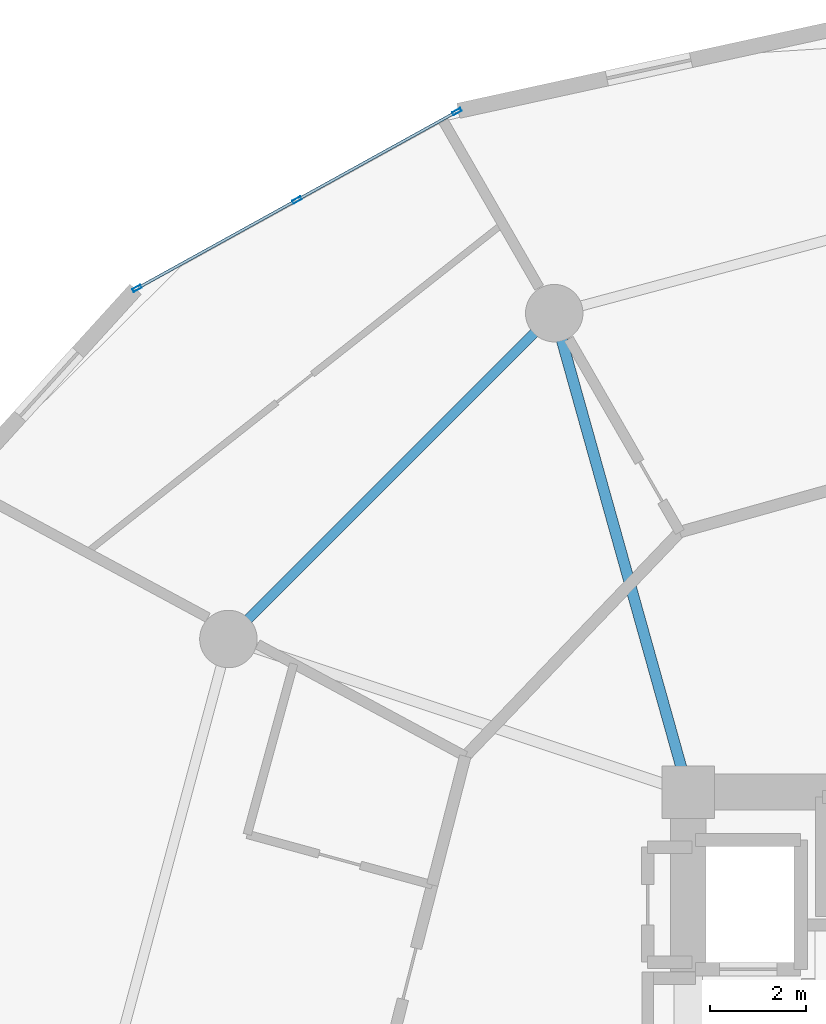
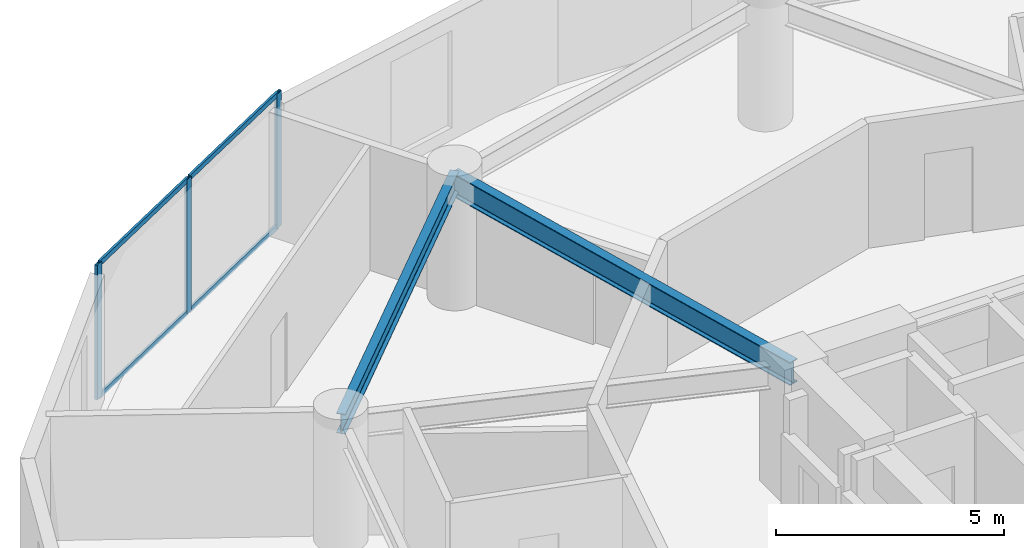
# One storey, part 11 of 23: 7 members, 2 beams, 1 element without a shape of its own.
"""IFC4 building model written with IfcOpenShell, lengths in metres."""

from ifc_helpers import new_model, si_unit, direction, frame, origin, origin_2d, place, context, subcontext, project, spatial, hollow_rectangle, i_section, extrude, source, transform, mapped, material, layer, layer_set, material_profile, profile_set, type_object, element, aggregate, save


model = new_model("IFC4")

# Units and contexts
model_context = context("Model", 3, precision=1e-05, world=origin(), true_north=direction((0.0, 1.0)))
body_context = subcontext(model_context, "Body", "Model", "MODEL_VIEW")
ifc_project = project(units=[si_unit("LENGTHUNIT", "METRE"), si_unit("AREAUNIT", "SQUARE_METRE"), si_unit("VOLUMEUNIT", "CUBIC_METRE"), si_unit("PLANEANGLEUNIT", "RADIAN"), si_unit("MASSUNIT", "GRAM", prefix="KILO")], contexts=[model_context])

# Site, building, storey
site_placement = place(None, origin())
site = spatial("IfcSite", under=ifc_project, at=site_placement, CompositionType="ELEMENT")
building_placement = place(site_placement, origin())
building = spatial("IfcBuilding", under=site, at=building_placement, Name="Solvirekh Grand Hotel", CompositionType="ELEMENT")
storey_placement = place(building_placement, frame((0.0, 0.0, 46.39990234375)))
storey = spatial("IfcBuildingStorey", under=building, at=storey_placement, Name="L10", CompositionType="ELEMENT", Elevation=46.39990234375)

# Beams
ifc_material_1 = material(Name="Steel S355", Category="steel")
ifc_material_profile_1 = material_profile(ifc_material_1, i_section(OverallWidth=0.22998046875, OverallDepth=0.615966796875, WebThickness=0.013916015625, FlangeThickness=0.02392578125, FilletRadius=0.014892578125, at=origin_2d()), Name="W610X174")
ifc_profile_set_1 = profile_set([ifc_material_profile_1], Name="Steel S355")
beam_type_1 = type_object("IfcBeamType", Name="Beam_Primary_W610H", PredefinedType="BEAM", material=ifc_profile_set_1)
beam_1_placement = place(storey_placement, frame((-6.5, 6.10009765625, 3.031982421875), z_axis=(-0.269439084681, 0.963017434757, 0.0), x_axis=(-0.963017434757, -0.269439084681, 0.0)))
element("IfcBeam", 1, at=beam_1_placement, inside=storey, type_object=beam_type_1, Name="L10 radial floor beam R05", PredefinedType="BEAM", context=body_context, shape_type="SweptSolid", body=[
    extrude(i_section(OverallWidth=0.22998046875, OverallDepth=0.615966796875, WebThickness=0.013916015625, FlangeThickness=0.02392578125, FilletRadius=0.014892578125, at=origin_2d()), origin(), (0.0, 0.0, 1.0), 10.39208984375),
])
ifc_material_profile_2 = material_profile(ifc_material_1, i_section(OverallWidth=0.208984375, OverallDepth=0.532958984375, WebThickness=0.010009765625, FlangeThickness=0.014892578125, FilletRadius=0.013916015625, at=origin_2d()), Name="W530X92")
ifc_profile_set_2 = profile_set([ifc_material_profile_2], Name="Steel S355")
beam_type_2 = type_object("IfcBeamType", Name="Spandrel_Ring_W530", PredefinedType="SPANDREL", material=ifc_profile_set_2)
beam_2_placement = place(storey_placement, frame((-9.300048828125, 16.10791015625, 3.07421875), z_axis=(-0.707106781187, -0.707106781187, 0.0), x_axis=(0.707106781187, -0.707106781187, 0.0)))
element("IfcBeam", 2, at=beam_2_placement, inside=storey, type_object=beam_type_2, Name="L10 perimeter spandrel beam 5", PredefinedType="SPANDREL", context=body_context, shape_type="SweptSolid", body=[
    extrude(i_section(OverallWidth=0.208984375, OverallDepth=0.532958984375, WebThickness=0.010009765625, FlangeThickness=0.014892578125, FilletRadius=0.013916015625, at=origin_2d()), origin(), (0.0, 0.0, 1.0), 9.627685546875),
])

# Curtain wall, members
ifc_material_2 = material(Name="Anodized Bronze Aluminium 6063-T6", Category="aluminium")
ifc_layer = layer(ifc_material_2, 0.18994140625)
ifc_layer_set = layer_set([ifc_layer], Name="Anodized Bronze Aluminium 6063-T6")
curtain_wall_type = type_object("IfcCurtainWallType", Name="CW_Sys2_LowZoneFlushBronzeCW", PredefinedType="NOTDEFINED", material=ifc_layer_set)
curtain_wall_placement = place(storey_placement, origin())
curtain_wall = element("IfcCurtainWall", 3, at=curtain_wall_placement, inside=storey, type_object=curtain_wall_type, Name="L10 unitised bronze-glass curtain wall CW-L10-C08", PredefinedType="NOTDEFINED")
ifc_material_profile_3 = material_profile(ifc_material_2, hollow_rectangle(XDim=0.070068359375, YDim=0.18994140625, WallThickness=0.0048828125, at=origin_2d()), Name="ALU RHS 190X70X5")
ifc_profile_set_3 = profile_set([ifc_material_profile_3], Name="Anodized Bronze Aluminium 6063-T6")
member_type_1 = type_object("IfcMemberType", Name="CWMullion_Sys2", PredefinedType="MULLION", material=ifc_profile_set_3)
shared_shape_1 = source(origin(), body_context, "Body", "SweptSolid", [
    extrude(hollow_rectangle(XDim=0.070068359375, YDim=0.18994140625, WallThickness=0.0048828125, at=origin_2d()), origin(), (0.0, 0.0, 1.0), 3.60009765625),
])
member_1_placement = place(storey_placement, frame((-11.333740234375, 20.319091796875, 0.0), z_axis=(0.0, 0.0, 1.0), x_axis=(0.483790752131, -0.875183699661, 0.0)))
member_1 = element("IfcMember", 4, at=member_1_placement, type_object=member_type_1, Name="U02 mullion 1", PredefinedType="MULLION", context=body_context, shape_type="MappedRepresentation", body=[
    mapped(shared_shape_1, transform((0.0, 0.0, 0.0), x_axis=(1.0, 0.0, 0.0), y_axis=(0.0, 1.0, 0.0), z_axis=(0.0, 0.0, 1.0), scale=1.0)),
])
member_2_placement = place(storey_placement, frame((-14.675048828125, 18.471923828125, 0.0), z_axis=(0.0, 0.0, 1.0), x_axis=(0.483790752131, -0.875183699661, 0.0)))
member_2 = element("IfcMember", 5, at=member_2_placement, type_object=member_type_1, Name="U02 mullion 2", PredefinedType="MULLION", context=body_context, shape_type="MappedRepresentation", body=[
    mapped(shared_shape_1, transform((0.0, 0.0, 0.0), x_axis=(1.0, 0.0, 0.0), y_axis=(0.0, 1.0, 0.0), z_axis=(0.0, 0.0, 1.0), scale=1.0)),
])
member_3_placement = place(storey_placement, frame((-18.016357421875, 16.625, 0.0), z_axis=(0.0, 0.0, 1.0), x_axis=(0.483790752131, -0.875183699661, 0.0)))
member_3 = element("IfcMember", 6, at=member_3_placement, type_object=member_type_1, Name="U02 mullion 3", PredefinedType="MULLION", context=body_context, shape_type="MappedRepresentation", body=[
    mapped(shared_shape_1, transform((0.0, 0.0, 0.0), x_axis=(1.0, 0.0, 0.0), y_axis=(0.0, 1.0, 0.0), z_axis=(0.0, 0.0, 1.0), scale=1.0)),
])
ifc_material_profile_4 = material_profile(ifc_material_2, hollow_rectangle(XDim=0.06005859375, YDim=0.135009765625, WallThickness=0.00390625, at=origin_2d()), Name="ALU RHS 135X60X4")
ifc_profile_set_4 = profile_set([ifc_material_profile_4], Name="Anodized Bronze Aluminium 6063-T6")
member_type_2 = type_object("IfcMemberType", Name="CWTransom_Sys2", PredefinedType="USERDEFINED", material=ifc_profile_set_4)
shared_shape_2 = source(origin(), body_context, "Body", "SweptSolid", [
    extrude(hollow_rectangle(XDim=0.06005859375, YDim=0.135009765625, WallThickness=0.00390625, at=origin_2d()), origin(), (0.0, 0.0, 1.0), 3.747802734375),
])
member_4_placement = place(storey_placement, frame((-11.3642578125, 20.30224609375, 0.030029296875), z_axis=(-0.87517548732, -0.483805608063, 0.0), x_axis=(0.483805608063, -0.87517548732, 0.0)))
member_4 = element("IfcMember", 7, at=member_4_placement, type_object=member_type_2, Name="U02 transom 1.1", ObjectType="TRANSOM", PredefinedType="USERDEFINED", context=body_context, shape_type="MappedRepresentation", body=[
    mapped(shared_shape_2, transform((0.0, 0.0, 0.0), x_axis=(1.0, 0.0, 0.0), y_axis=(0.0, 1.0, 0.0), z_axis=(0.0, 0.0, 1.0), scale=1.0)),
])
member_5_placement = place(storey_placement, frame((-11.3642578125, 20.30224609375, 3.570068359375), z_axis=(-0.87517548732, -0.483805608063, 0.0), x_axis=(0.483805608063, -0.87517548732, 0.0)))
member_5 = element("IfcMember", 8, at=member_5_placement, type_object=member_type_2, Name="U02 transom 1.2", ObjectType="TRANSOM", PredefinedType="USERDEFINED", context=body_context, shape_type="MappedRepresentation", body=[
    mapped(shared_shape_2, transform((0.0, 0.0, 0.0), x_axis=(1.0, 0.0, 0.0), y_axis=(0.0, 1.0, 0.0), z_axis=(0.0, 0.0, 1.0), scale=1.0)),
])
shared_shape_3 = source(origin(), body_context, "Body", "SweptSolid", [
    extrude(hollow_rectangle(XDim=0.06005859375, YDim=0.135009765625, WallThickness=0.00390625, at=origin_2d()), origin(), (0.0, 0.0, 1.0), 3.748046875),
])
member_6_placement = place(storey_placement, frame((-14.70556640625, 18.455078125, 0.030029296875), z_axis=(-0.875190733539, -0.483778027537, 0.0), x_axis=(0.483778027537, -0.875190733539, 0.0)))
member_6 = element("IfcMember", 9, at=member_6_placement, type_object=member_type_2, Name="U02 transom 2.1", ObjectType="TRANSOM", PredefinedType="USERDEFINED", context=body_context, shape_type="MappedRepresentation", body=[
    mapped(shared_shape_3, transform((0.0, 0.0, 0.0), x_axis=(1.0, 0.0, 0.0), y_axis=(0.0, 1.0, 0.0), z_axis=(0.0, 0.0, 1.0), scale=1.0)),
])
member_7_placement = place(storey_placement, frame((-14.70556640625, 18.455078125, 3.570068359375), z_axis=(-0.875190733539, -0.483778027537, 0.0), x_axis=(0.483778027537, -0.875190733539, 0.0)))
member_7 = element("IfcMember", 10, at=member_7_placement, type_object=member_type_2, Name="U02 transom 2.2", ObjectType="TRANSOM", PredefinedType="USERDEFINED", context=body_context, shape_type="MappedRepresentation", body=[
    mapped(shared_shape_3, transform((0.0, 0.0, 0.0), x_axis=(1.0, 0.0, 0.0), y_axis=(0.0, 1.0, 0.0), z_axis=(0.0, 0.0, 1.0), scale=1.0)),
])
aggregate(curtain_wall, [member_1, member_2, member_3, member_4, member_5, member_6, member_7])

save(model, "model.ifc")
